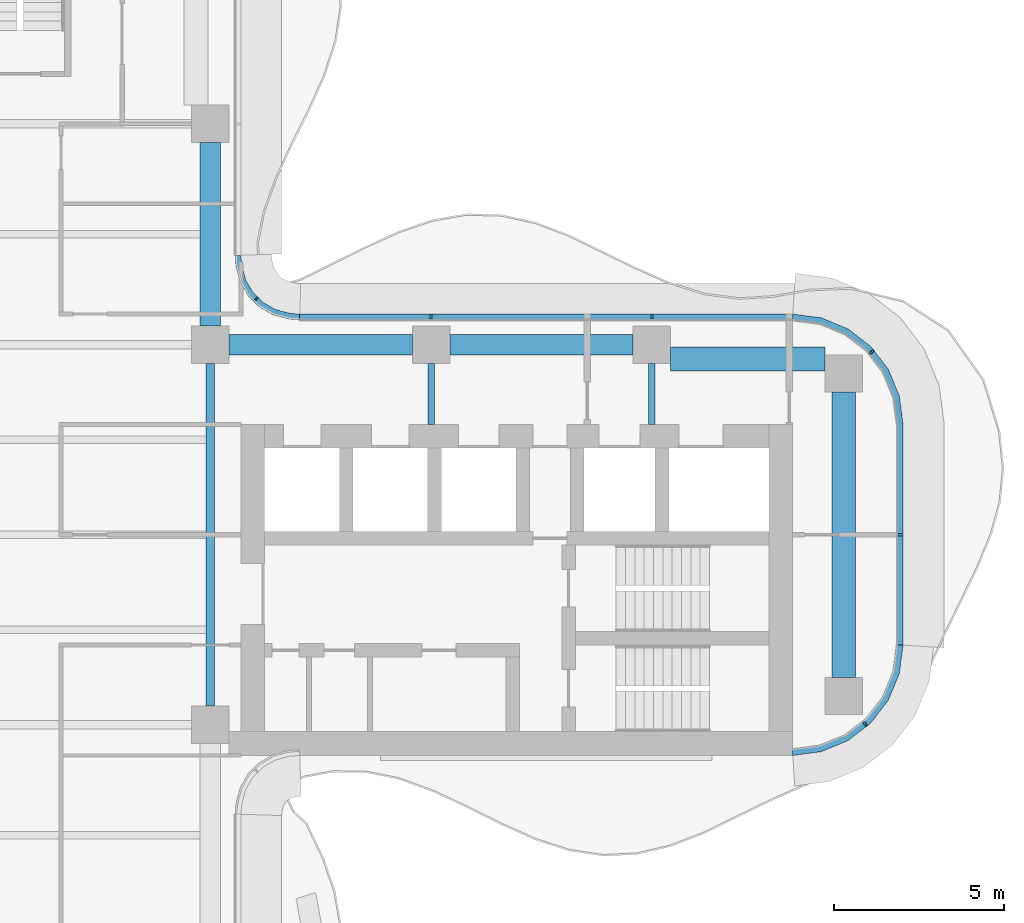
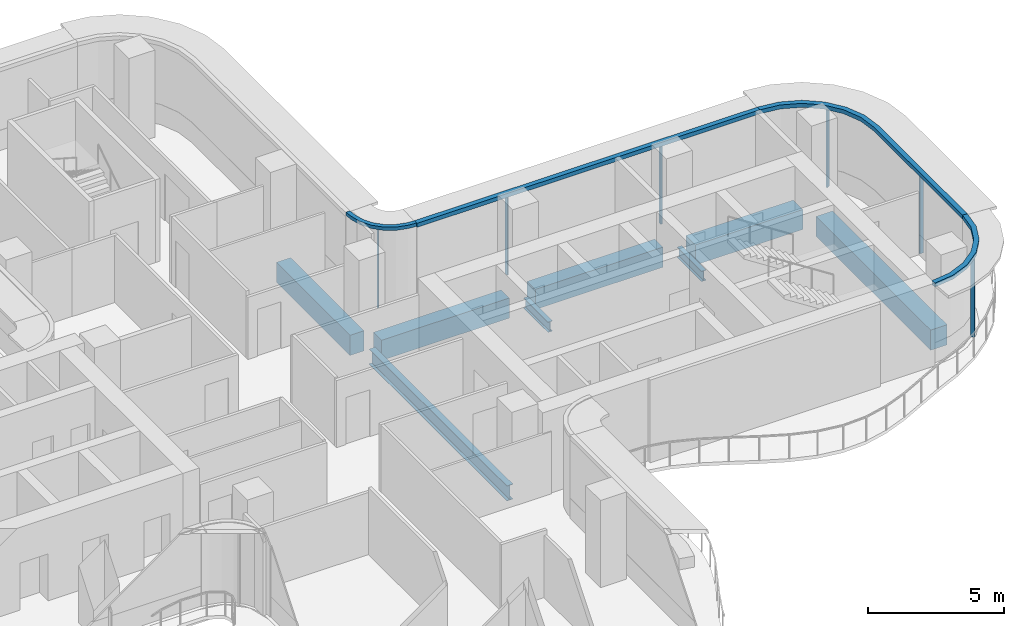
# One storey, part 6 of 16: 10 members, 8 beams, 4 elements without a shape of their own.
"""IFC4 building model written with IfcOpenShell, lengths in metres."""

import ifcopenshell
import ifcopenshell.guid

model = None  # the IFC model being written
_history = None  # IfcOwnerHistory: only IFC2X3 demands one
_inside = {}  # id of a spatial element -> (the spatial element, [elements in it])
_under = {}  # id of a project, library or spatial element -> (it, [spatial elements below it])
_declared = {}  # id of a project -> (the project, [libraries it declares])
_typed = {}  # id of a type object -> (the type object, [elements of that type])
_made_of = {}  # id of a material, layer set ... -> (it, [elements and type objects made of it])


def new_model(schema):
    """Start an empty IFC model of exactly this schema.

    Asked for "IFC4X3", IfcOpenShell would pick the latest addendum, in which some entities
    have other attributes; the version numbers below select the first issue.
    IFC2X3 requires an IfcOwnerHistory on every rooted entity: one is made here for all.
    """
    global model, _history
    if schema == "IFC4X3":
        model = ifcopenshell.file(schema_version=(4, 3, 0, 0))
    else:
        model = ifcopenshell.file(schema=schema)
    _inside.clear()
    _under.clear()
    _declared.clear()
    _typed.clear()
    _made_of.clear()
    _history = None
    if model.schema == "IFC2X3":
        org = make("IfcOrganization", Name="unknown")
        user = make(
            "IfcPersonAndOrganization",
            ThePerson=make("IfcPerson", FamilyName="unknown"),
            TheOrganization=org,
        )
        app = make(
            "IfcApplication",
            ApplicationDeveloper=org,
            Version="unknown",
            ApplicationFullName="unknown",
            ApplicationIdentifier="unknown",
        )
        _history = make(
            "IfcOwnerHistory",
            OwningUser=user,
            OwningApplication=app,
            ChangeAction="ADDED",
            CreationDate=0,
        )
    return model


def make(cls, **values):
    """One entity of the class cls with the attributes given. An attribute that is None is left unset."""
    return model.create_entity(
        cls, **{name: value for name, value in values.items() if value is not None}
    )


def rooted(cls, **values):
    """An entity with a GlobalId (a new one), such as an element, a storey or a relation."""
    return make(cls, GlobalId=ifcopenshell.guid.new(), OwnerHistory=_history, **values)


def si_unit(unit_type, name, prefix=None):
    """IfcSIUnit, for example si_unit("LENGTHUNIT", "METRE", prefix="MILLI")."""
    return make("IfcSIUnit", UnitType=unit_type, Prefix=prefix, Name=name)


def assignment(units):
    """IfcUnitAssignment: the units of a project."""
    return None if units is None else make("IfcUnitAssignment", Units=units)


def point(xyz):
    """IfcCartesianPoint."""
    return None if xyz is None else make("IfcCartesianPoint", Coordinates=xyz)


def direction(xyz):
    """IfcDirection."""
    return None if xyz is None else make("IfcDirection", DirectionRatios=xyz)


def frame(location, z_axis=None, x_axis=None):
    """IfcAxis2Placement3D, a coordinate frame: its origin and axes. An axis left out is left unset."""
    return make(
        "IfcAxis2Placement3D",
        Location=point(location),
        Axis=direction(z_axis),
        RefDirection=direction(x_axis),
    )


def frame_2d(location, x_axis=None):
    """IfcAxis2Placement2D, a coordinate frame in the plane: its origin and x axis."""
    return make(
        "IfcAxis2Placement2D", Location=point(location), RefDirection=direction(x_axis)
    )


def origin():
    """The frame at (0, 0, 0) with its axes left unset."""
    return frame((0.0, 0.0, 0.0))


def origin_2d():
    """The frame at (0, 0) in the plane with its x axis left unset."""
    return frame_2d((0.0, 0.0))


def place(relative_to, where):
    """IfcLocalPlacement: puts the frame where relative to a parent placement (None: the world)."""
    return make(
        "IfcLocalPlacement", PlacementRelTo=relative_to, RelativePlacement=where
    )


def context(
    kind, dimensions, precision=None, world=None, true_north=None, identifier=None
):
    """IfcGeometricRepresentationContext, for example the 3D "Model" context."""
    return make(
        "IfcGeometricRepresentationContext",
        ContextIdentifier=identifier,
        ContextType=kind,
        CoordinateSpaceDimension=dimensions,
        Precision=precision,
        WorldCoordinateSystem=world,
        TrueNorth=true_north,
    )


def subcontext(parent, identifier, kind, view, scale=None):
    """IfcGeometricRepresentationSubContext, for example "Body" below "Model"."""
    return make(
        "IfcGeometricRepresentationSubContext",
        ContextIdentifier=identifier,
        ContextType=kind,
        ParentContext=parent,
        TargetScale=scale,
        TargetView=view,
    )


def project(units=None, contexts=None):
    """IfcProject with its units and contexts."""
    return rooted(
        "IfcProject",
        Name="project",
        RepresentationContexts=contexts,
        UnitsInContext=assignment(units),
    )


def spatial(cls, under=None, at=None, **own):
    """A site, building, storey or space (cls), placed at a placement, below another one or the project."""
    s = rooted(cls, ObjectPlacement=at, **own)
    if under is not None:
        _under.setdefault(under.id(), (under, []))[1].append(s)
    return s


def polyline(points):
    """IfcPolyline through the points."""
    return make("IfcPolyline", Points=[point(p) for p in points])


def profile(cls, at=None, kind="AREA", **sizes):
    """A parametric profile (cls). Its sizes go by their IFC names, for example OverallWidth=200.0."""
    return make(cls, ProfileType=kind, Position=at, **sizes)


def rectangle(**sizes):
    """IfcRectangleProfileDef."""
    return profile("IfcRectangleProfileDef", **sizes)


def i_section(**sizes):
    """IfcIShapeProfileDef."""
    return profile("IfcIShapeProfileDef", **sizes)


def outline(outer, holes=None, kind="AREA"):
    """IfcArbitraryClosedProfileDef: a profile drawn as a closed curve; with holes, ...WithVoids."""
    if holes is None:
        return make("IfcArbitraryClosedProfileDef", ProfileType=kind, OuterCurve=outer)
    return make(
        "IfcArbitraryProfileDefWithVoids",
        ProfileType=kind,
        OuterCurve=outer,
        InnerCurves=holes,
    )


def extrude(swept, where, along, depth):
    """IfcExtrudedAreaSolid: the profile swept, set in the frame where, extruded along a direction by depth."""
    return make(
        "IfcExtrudedAreaSolid",
        SweptArea=swept,
        Position=where,
        ExtrudedDirection=direction(along),
        Depth=depth,
    )


def shape(context_of_items, identifier, shape_type, items):
    """IfcShapeRepresentation: the items that make up one representation, for example the "Body"."""
    return make(
        "IfcShapeRepresentation",
        ContextOfItems=context_of_items,
        RepresentationIdentifier=identifier,
        RepresentationType=shape_type,
        Items=items,
    )


def source(mapping_origin, context_of_items, identifier, shape_type, items):
    """IfcRepresentationMap: a shape defined once, which mapped items show again and again."""
    return make(
        "IfcRepresentationMap",
        MappingOrigin=mapping_origin,
        MappedRepresentation=shape(context_of_items, identifier, shape_type, items),
    )


def transform(
    local_origin,
    x_axis=None,
    y_axis=None,
    z_axis=None,
    scale=None,
    scale2=None,
    scale3=None,
    uniform=True,
):
    """IfcCartesianTransformationOperator3D, or its non-uniform kind. x_axis, y_axis, z_axis: its Axis1, 2, 3."""
    if uniform:
        return make(
            "IfcCartesianTransformationOperator3D",
            Axis1=direction(x_axis),
            Axis2=direction(y_axis),
            LocalOrigin=point(local_origin),
            Scale=scale,
            Axis3=direction(z_axis),
        )
    return make(
        "IfcCartesianTransformationOperator3DnonUniform",
        Axis1=direction(x_axis),
        Axis2=direction(y_axis),
        LocalOrigin=point(local_origin),
        Scale=scale,
        Axis3=direction(z_axis),
        Scale2=scale2,
        Scale3=scale3,
    )


def mapped(mapping_source, mapping_target):
    """IfcMappedItem: shows the shape of a source again, moved by a transform."""
    return make(
        "IfcMappedItem", MappingSource=mapping_source, MappingTarget=mapping_target
    )


def material(Name=None, Category=None):
    """IfcMaterial."""
    return make("IfcMaterial", Name=Name, Category=Category)


def layer(
    of_material, thickness, ventilated=None, Name=None, Category=None, Priority=None
):
    """IfcMaterialLayer: one layer of a wall or slab, of a material (None: an air gap)."""
    return make(
        "IfcMaterialLayer",
        Material=of_material,
        LayerThickness=thickness,
        IsVentilated=ventilated,
        Name=Name,
        Category=Category,
        Priority=Priority,
    )


def layer_set(layers, Name=None):
    """IfcMaterialLayerSet."""
    return make("IfcMaterialLayerSet", MaterialLayers=layers, LayerSetName=Name)


def material_profile(
    of_material, cross_section, Name=None, Category=None, Priority=None
):
    """IfcMaterialProfile: a cross section and its material."""
    return make(
        "IfcMaterialProfile",
        Name=Name,
        Material=of_material,
        Profile=cross_section,
        Priority=Priority,
        Category=Category,
    )


def profile_set(profiles, Name=None, composite=None):
    """IfcMaterialProfileSet."""
    return make(
        "IfcMaterialProfileSet",
        Name=Name,
        MaterialProfiles=profiles,
        CompositeProfile=composite,
    )


def made_of(thing, what):
    """Note that an element or type object is made of a material, layer set ...; save() writes the relation."""
    if what is not None:
        _made_of.setdefault(what.id(), (what, []))[1].append(thing)
    return thing


def type_object(cls, material=None, **own):
    """A type object (cls), such as IfcWallType, which elements share."""
    return made_of(rooted(cls, **own), material)


def element(
    cls,
    number,
    at=None,
    inside=None,
    cuts=None,
    type_object=None,
    material=None,
    context=None,
    identifier="Body",
    shape_type=None,
    held_by="IfcProductDefinitionShape",
    body=None,
    shapes=None,
    **own,
):
    """One element of the class cls, such as IfcWall. Its Tag is "e" and its number.

    at: its placement. inside: the storey or other place that contains it. cuts: it is an
    opening in that element (IfcRelVoidsElement). A single representation is given by context,
    identifier, shape_type and body (its items); several are given by shapes. held_by: the class
    of the entity that holds the representations. save() writes the other relations.
    """
    e = rooted(cls, Tag="e%d" % number, ObjectPlacement=at, **own)
    if body is not None:
        shapes = [shape(context, identifier, shape_type, body)]
    if shapes is not None:
        e.Representation = make(held_by, Representations=shapes)
    if inside is not None:
        _inside.setdefault(inside.id(), (inside, []))[1].append(e)
    if cuts is not None:
        rooted(
            "IfcRelVoidsElement", RelatingBuildingElement=cuts, RelatedOpeningElement=e
        )
    if type_object is not None:
        _typed.setdefault(type_object.id(), (type_object, []))[1].append(e)
    return made_of(e, material)


def aggregate(whole, parts):
    """IfcRelAggregates: a whole, such as a stair, and the parts it consists of."""
    return rooted("IfcRelAggregates", RelatingObject=whole, RelatedObjects=parts)


def save(model, path):
    """Write the relations noted so far, then the file.

    IfcRelAggregates (storeys below a building ...), IfcRelContainedInSpatialStructure (elements
    in a storey), IfcRelDefinesByType, IfcRelAssociatesMaterial and IfcRelDeclares: one each for
    every whole, place, type object, material and project.
    """
    for whole, parts in _under.values():
        aggregate(whole, parts)
    for where, things in _inside.values():
        rooted(
            "IfcRelContainedInSpatialStructure",
            RelatedElements=things,
            RelatingStructure=where,
        )
    for kind, things in _typed.values():
        rooted("IfcRelDefinesByType", RelatedObjects=things, RelatingType=kind)
    for what, things in _made_of.values():
        rooted("IfcRelAssociatesMaterial", RelatedObjects=things, RelatingMaterial=what)
    for by, libraries in _declared.values():
        rooted("IfcRelDeclares", RelatingContext=by, RelatedDefinitions=libraries)
    model.write(path)


model = new_model("IFC4")

# Units and contexts
model_context = context("Model", 3, precision=1e-05, world=origin(), true_north=direction((0.0, 1.0)))
body_context = subcontext(model_context, "Body", "Model", "MODEL_VIEW")
ifc_project = project(units=[si_unit("LENGTHUNIT", "METRE"), si_unit("AREAUNIT", "SQUARE_METRE"), si_unit("VOLUMEUNIT", "CUBIC_METRE"), si_unit("PLANEANGLEUNIT", "RADIAN"), si_unit("MASSUNIT", "GRAM", prefix="KILO")], contexts=[model_context])

# Site, building, storey
site_placement = place(None, origin())
site = spatial("IfcSite", under=ifc_project, at=site_placement, CompositionType="ELEMENT")
building_placement = place(site_placement, origin())
building = spatial("IfcBuilding", under=site, at=building_placement, Name="Trellis Farm Tower", CompositionType="ELEMENT")
storey_placement = place(building_placement, frame((0.0, 0.0, 248.0)))
storey = spatial("IfcBuildingStorey", under=building, at=storey_placement, Name="L55", CompositionType="ELEMENT", Elevation=248.0)

# Beams
ifc_material_1 = material(Name="Steel S355", Category="steel")
ifc_material_profile_1 = material_profile(ifc_material_1, i_section(OverallWidth=0.253662109375, OverallDepth=0.68359375, WebThickness=0.012451171875, FlangeThickness=0.021728515625, FilletRadius=0.01513671875, at=origin_2d()), Name="UB 686x254x140")
ifc_profile_set_1 = profile_set([ifc_material_profile_1], Name="Steel S355")
beam_type_1 = type_object("IfcBeamType", Name="UB 686x254x140", PredefinedType="BEAM", material=ifc_profile_set_1)
shared_shape_1 = source(origin(), body_context, "Body", "SweptSolid", [
    extrude(i_section(OverallWidth=0.253662109375, OverallDepth=0.68359375, WebThickness=0.012451171875, FlangeThickness=0.021728515625, FilletRadius=0.01513671875, at=origin_2d()), origin(), (0.0, 0.0, 1.0), 10.10009765625),
])
beam_1_placement = place(storey_placement, frame((5.60009765625, -5.050048828125, -0.541748046875), z_axis=(0.0, 1.0, 0.0), x_axis=(-1.0, 0.0, 0.0)))
element("IfcBeam", 1, at=beam_1_placement, inside=storey, type_object=beam_type_1, Name="Girder", PredefinedType="BEAM", context=body_context, shape_type="MappedRepresentation", body=[
    mapped(shared_shape_1, transform((0.0, 0.0, 0.0))),
])
ifc_material_profile_2 = material_profile(ifc_material_1, i_section(OverallWidth=0.1904296875, OverallDepth=0.45703125, WebThickness=0.009033203125, FlangeThickness=0.014404296875, FilletRadius=0.01025390625, at=origin_2d()), Name="UB 457x191x74")
ifc_profile_set_2 = profile_set([ifc_material_profile_2], Name="Steel S355")
beam_type_2 = type_object("IfcBeamType", Name="UB 457x191x74", PredefinedType="BEAM", material=ifc_profile_set_2)
shared_shape_2 = source(origin(), body_context, "Body", "SweptSolid", [
    extrude(i_section(OverallWidth=0.1904296875, OverallDepth=0.45703125, WebThickness=0.009033203125, FlangeThickness=0.014404296875, FilletRadius=0.01025390625, at=origin_2d()), origin(), (0.0, 0.0, 1.0), 1.800048828125),
])
for number, where, z_axis, x_axis, name in (
    (2, (12.10009765625, 3.25, -0.428466796875), (0.0, 1.0, 0.0), (-1.0, 0.0, 0.0), "Girder"),
    (3, (18.60009765625, 3.25, -0.428466796875), (0.0, 1.0, 0.0), (-1.0, 0.0, 0.0), "Girder"),
):
    element("IfcBeam", number, at=place(storey_placement, frame(where, z_axis=z_axis, x_axis=x_axis)), inside=storey, type_object=beam_type_2, Name=name, PredefinedType="BEAM", context=body_context, shape_type="MappedRepresentation", body=[
        mapped(shared_shape_2, transform((0.0, 0.0, 0.0))),
    ])
ifc_material_2 = material(Name="Concrete C60/75", Category="concrete")
ifc_material_profile_3 = material_profile(ifc_material_2, rectangle(XDim=0.60009765625, YDim=0.89990234375, at=origin_2d()), Name="RC spandrel beam 600x900 C60/75")
ifc_profile_set_3 = profile_set([ifc_material_profile_3], Name="Concrete C60/75")
beam_type_3 = type_object("IfcBeamType", Name="RC spandrel beam 600x900 C60/75", PredefinedType="SPANDREL", material=ifc_profile_set_3)
shared_shape_3 = source(origin(), body_context, "Body", "SweptSolid", [
    extrude(rectangle(XDim=0.60009765625, YDim=0.89990234375, at=origin_2d()), origin(), (0.0, 0.0, 1.0), 5.400146484375),
])
for number, where, z_axis, x_axis, name in (
    (4, (6.14990234375, 5.60009765625, -0.64990234375), (1.0, 0.0, 0.0), (0.0, 1.0, 0.0), "Girder"),
    (5, (12.64990234375, 5.60009765625, -0.64990234375), (1.0, 0.0, 0.0), (0.0, 1.0, 0.0), "Girder"),
    (6, (5.60009765625, 6.14990234375, -0.64990234375), (0.0, 1.0, 0.0), (-1.0, 0.0, 0.0), "Girder"),
):
    element("IfcBeam", number, at=place(storey_placement, frame(where, z_axis=z_axis, x_axis=x_axis)), inside=storey, type_object=beam_type_3, Name=name, PredefinedType="SPANDREL", context=body_context, shape_type="MappedRepresentation", body=[
        mapped(shared_shape_3, transform((0.0, 0.0, 0.0))),
    ])
ifc_material_profile_4 = material_profile(ifc_material_2, rectangle(XDim=0.699951171875, YDim=0.89990234375, at=origin_2d()), Name="RC spandrel beam 700x900 C60/75")
ifc_profile_set_4 = profile_set([ifc_material_profile_4], Name="Concrete C60/75")
beam_type_4 = type_object("IfcBeamType", Name="RC spandrel beam 700x900 C60/75", PredefinedType="SPANDREL", material=ifc_profile_set_4)
shared_shape_4 = source(origin(), body_context, "Body", "SweptSolid", [
    extrude(rectangle(XDim=0.699951171875, YDim=0.89990234375, at=origin_2d()), origin(), (0.0, 0.0, 1.0), 8.39990234375),
])
beam_2_placement = place(storey_placement, frame((24.25, -4.199951171875, -0.64990234375), z_axis=(0.0, 1.0, 0.0), x_axis=(-1.0, 0.0, 0.0)))
element("IfcBeam", 7, at=beam_2_placement, inside=storey, type_object=beam_type_4, Name="Girder", PredefinedType="SPANDREL", context=body_context, shape_type="MappedRepresentation", body=[
    mapped(shared_shape_4, transform((0.0, 0.0, 0.0))),
])
shared_shape_5 = source(origin(), body_context, "Body", "SweptSolid", [
    extrude(rectangle(XDim=0.699951171875, YDim=0.89990234375, at=origin_2d()), origin(), (0.0, 0.0, 1.0), 4.550048828125),
])
beam_3_placement = place(storey_placement, frame((19.14990234375, 5.175048828125, -0.64990234375), z_axis=(1.0, 0.0, 0.0), x_axis=(0.0, 1.0, 0.0)))
element("IfcBeam", 8, at=beam_3_placement, inside=storey, type_object=beam_type_4, Name="Girder", PredefinedType="SPANDREL", context=body_context, shape_type="MappedRepresentation", body=[
    mapped(shared_shape_5, transform((0.0, 0.0, 0.0))),
])

# Curtain wall, member
ifc_material_3 = material(Name="Aluminium and glass curtain wall", Category="aluminium")
ifc_layer_1 = layer(ifc_material_3, 0.166015625)
ifc_layer_set_1 = layer_set([ifc_layer_1], Name="WINTER GARDEN CURTAIN WALL CW3")
curtain_wall_type_1 = type_object("IfcCurtainWallType", Name="WINTER GARDEN CURTAIN WALL CW3", PredefinedType="NOTDEFINED", material=ifc_layer_set_1)
placement_1 = place(storey_placement, origin())
curtain_wall_1 = element("IfcCurtainWall", 9, at=placement_1, inside=storey, type_object=curtain_wall_type_1, Name="CW3 003", PredefinedType="NOTDEFINED")
ifc_material_4 = material(Name="Aluminium extrusion 6063-T6", Category="aluminium")
ifc_layer_2 = layer(ifc_material_4, 0.169921875)
ifc_layer_set_2 = layer_set([ifc_layer_2], Name="Aluminium extrusion 6063-T6")
member_type_1 = type_object("IfcMemberType", Name="CW3 TRANSOM 170x150", PredefinedType="USERDEFINED", material=ifc_layer_set_2)
shared_shape_6 = source(origin(), body_context, "Body", "SweptSolid", [
    extrude(outline(polyline([(8.2314453125, 6.5), (8.01953125, 6.513916015625), (7.91552734375, 6.527587890625), (7.508544921875, 6.63671875), (7.144287109375, 6.846923828125), (6.846923828125, 7.144287109375), (6.63671875, 7.508544921875), (6.527587890625, 7.91552734375), (6.513916015625, 8.01953125), (6.5, 8.2314453125), (6.330078125, 8.225830078125), (6.3447265625, 8.0029296875), (6.360595703125, 7.88232421875), (6.478271484375, 7.44287109375), (6.7109375, 7.0400390625), (7.0400390625, 6.7109375), (7.44287109375, 6.478271484375), (7.88232421875, 6.360595703125), (8.0029296875, 6.3447265625), (8.225830078125, 6.330078125), (8.2314453125, 6.5)])), origin(), (0.0, 0.0, 1.0), 0.14990234375),
])
member_1_placement = place(storey_placement, frame((0.0, 0.0, 3.550048828125)))
member_1 = element("IfcMember", 10, at=member_1_placement, type_object=member_type_1, Name="TR3 003", ObjectType="TRANSOM", PredefinedType="USERDEFINED", context=body_context, shape_type="MappedRepresentation", body=[
    mapped(shared_shape_6, transform((0.0, 0.0, 0.0))),
])

ifc_layer_3 = layer(ifc_material_3, 0.18994140625)
ifc_layer_set_3 = layer_set([ifc_layer_3], Name="RIBBON CURTAIN WALL CW1")
curtain_wall_type_2 = type_object("IfcCurtainWallType", Name="RIBBON CURTAIN WALL CW1", PredefinedType="NOTDEFINED", material=ifc_layer_set_3)
curtain_wall_2 = element("IfcCurtainWall", 11, at=placement_1, inside=storey, type_object=curtain_wall_type_2, Name="CW1 006", PredefinedType="NOTDEFINED")
ifc_material_profile_5 = material_profile(ifc_material_4, rectangle(XDim=0.06005859375, YDim=0.14990234375, at=origin_2d()), Name="MULLION 60x150")
ifc_profile_set_5 = profile_set([ifc_material_profile_5], Name="Aluminium extrusion 6063-T6")
member_type_2 = type_object("IfcMemberType", Name="CW1 MULLION 60x150", PredefinedType="MULLION", material=ifc_profile_set_5)
shared_shape_7 = source(origin(), body_context, "Body", "SweptSolid", [
    extrude(rectangle(XDim=0.06005859375, YDim=0.14990234375, at=origin_2d()), origin(), (0.0, 0.0, 1.0), 3.52001953125),
])
member_2_placement = place(storey_placement, frame((24.885498046875, -5.578369140625, 0.0), z_axis=(0.0, 0.0, 1.0), x_axis=(0.793353340291, 0.608761429009, 0.0)))
member_2 = element("IfcMember", 12, at=member_2_placement, type_object=member_type_2, Name="MU1 006-01", PredefinedType="MULLION", context=body_context, shape_type="MappedRepresentation", body=[
    mapped(shared_shape_7, transform((0.0, 0.0, 0.0))),
])

# Curtain wall, members
curtain_wall_3 = element("IfcCurtainWall", 13, at=placement_1, inside=storey, type_object=curtain_wall_type_2, Name="CW1 007", PredefinedType="NOTDEFINED")
member_3_placement = place(storey_placement, frame((25.925048828125, 0.0, 0.0), z_axis=(0.0, 0.0, 1.0), x_axis=(0.0, 1.0, 0.0)))
member_3 = element("IfcMember", 14, at=member_3_placement, type_object=member_type_2, Name="MU1 007-01", PredefinedType="MULLION", context=body_context, shape_type="MappedRepresentation", body=[
    mapped(shared_shape_7, transform((0.0, 0.0, 0.0))),
])
member_4_placement = place(storey_placement, frame((25.078369140625, 5.385498046875, 0.0), z_axis=(0.0, 0.0, 1.0), x_axis=(-0.608761429009, 0.793353340291, 0.0)))
member_4 = element("IfcMember", 15, at=member_4_placement, type_object=member_type_2, Name="MU1 007-02", PredefinedType="MULLION", context=body_context, shape_type="MappedRepresentation", body=[
    mapped(shared_shape_7, transform((0.0, 0.0, 0.0))),
])

curtain_wall_4 = element("IfcCurtainWall", 16, at=placement_1, inside=storey, type_object=curtain_wall_type_2, Name="CW1 008", PredefinedType="NOTDEFINED")
member_5_placement = place(storey_placement, frame((18.60009765625, 6.425048828125, 0.0), z_axis=(0.0, 0.0, 1.0), x_axis=(-1.0, 0.0, 0.0)))
member_5 = element("IfcMember", 17, at=member_5_placement, type_object=member_type_2, Name="MU1 008-01", PredefinedType="MULLION", context=body_context, shape_type="MappedRepresentation", body=[
    mapped(shared_shape_7, transform((0.0, 0.0, 0.0))),
])
member_6_placement = place(storey_placement, frame((12.10009765625, 6.425048828125, 0.0), z_axis=(0.0, 0.0, 1.0), x_axis=(-1.0, 0.0, 0.0)))
member_6 = element("IfcMember", 18, at=member_6_placement, type_object=member_type_2, Name="MU1 008-02", PredefinedType="MULLION", context=body_context, shape_type="MappedRepresentation", body=[
    mapped(shared_shape_7, transform((0.0, 0.0, 0.0))),
])

# Member
ifc_material_profile_6 = material_profile(ifc_material_4, rectangle(XDim=0.050048828125, YDim=0.1201171875, at=origin_2d()), Name="MULLION 50x120")
ifc_profile_set_6 = profile_set([ifc_material_profile_6], Name="Aluminium extrusion 6063-T6")
member_type_3 = type_object("IfcMemberType", Name="CW3 MULLION 50x120", PredefinedType="MULLION", material=ifc_profile_set_6)
shared_shape_8 = source(origin(), body_context, "Body", "SweptSolid", [
    extrude(rectangle(XDim=0.050048828125, YDim=0.1201171875, at=origin_2d()), origin(), (0.0, 0.0, 1.0), 3.550048828125),
])
member_7_placement = place(storey_placement, frame((6.953125, 6.953125, 0.0), z_axis=(0.0, 0.0, 1.0), x_axis=(-0.707106781187, 0.707106781187, 0.0)))
member_7 = element("IfcMember", 19, at=member_7_placement, type_object=member_type_3, Name="MU3 003-01", PredefinedType="MULLION", context=body_context, shape_type="MappedRepresentation", body=[
    mapped(shared_shape_8, transform((0.0, 0.0, 0.0))),
])

aggregate(curtain_wall_1, [member_7, member_1])

ifc_layer_4 = layer(ifc_material_4, 0.199951171875)
ifc_layer_set_4 = layer_set([ifc_layer_4], Name="Aluminium extrusion 6063-T6")
member_type_4 = type_object("IfcMemberType", Name="CW1 TRANSOM 200x180", PredefinedType="USERDEFINED", material=ifc_layer_set_4)
shared_shape_9 = source(origin(), body_context, "Body", "SweptSolid", [
    extrude(outline(polyline([(22.75, -6.5), (23.591064453125, -6.38916015625), (24.375, -6.064697265625), (25.048095703125, -5.548095703125), (25.564697265625, -4.875), (25.88916015625, -4.091064453125), (26.0, -3.25), (25.800048828125, -3.23681640625), (25.6943359375, -4.0390625), (25.389892578125, -4.774169921875), (24.905517578125, -5.405517578125), (24.274169921875, -5.889892578125), (23.5390625, -6.1943359375), (22.73681640625, -6.300048828125), (22.75, -6.5)])), origin(), (0.0, 0.0, 1.0), 0.179931640625),
])
placement_2 = place(storey_placement, frame((0.0, 0.0, 3.52001953125)))
member_8 = element("IfcMember", 20, at=placement_2, type_object=member_type_4, Name="TR1 006", ObjectType="TRANSOM", PredefinedType="USERDEFINED", context=body_context, shape_type="MappedRepresentation", body=[
    mapped(shared_shape_9, transform((0.0, 0.0, 0.0))),
])

aggregate(curtain_wall_2, [member_2, member_8])

shared_shape_10 = source(origin(), body_context, "Body", "SweptSolid", [
    extrude(outline(polyline([(22.75, 6.5), (8.2314453125, 6.5), (8.224853515625, 6.300048828125), (22.73681640625, 6.300048828125), (22.75, 6.5)])), origin(), (0.0, 0.0, 1.0), 0.179931640625),
])
member_9 = element("IfcMember", 21, at=placement_2, type_object=member_type_4, Name="TR1 008", ObjectType="TRANSOM", PredefinedType="USERDEFINED", context=body_context, shape_type="MappedRepresentation", body=[
    mapped(shared_shape_10, transform((0.0, 0.0, 0.0))),
])

aggregate(curtain_wall_4, [member_5, member_6, member_9])

shared_shape_11 = source(origin(), body_context, "Body", "SweptSolid", [
    extrude(outline(polyline([(26.0, -3.25), (26.0, 3.25), (25.88916015625, 4.091064453125), (25.564697265625, 4.875), (25.048095703125, 5.548095703125), (24.375, 6.064697265625), (23.591064453125, 6.38916015625), (22.75, 6.5), (22.73681640625, 6.300048828125), (23.5390625, 6.1943359375), (24.274169921875, 5.889892578125), (24.905517578125, 5.405517578125), (25.389892578125, 4.774169921875), (25.6943359375, 4.0390625), (25.800048828125, 3.23681640625), (25.800048828125, -3.23681640625), (26.0, -3.25)])), origin(), (0.0, 0.0, 1.0), 0.179931640625),
])
member_10 = element("IfcMember", 22, at=placement_2, type_object=member_type_4, Name="TR1 007", ObjectType="TRANSOM", PredefinedType="USERDEFINED", context=body_context, shape_type="MappedRepresentation", body=[
    mapped(shared_shape_11, transform((0.0, 0.0, 0.0))),
])

aggregate(curtain_wall_3, [member_3, member_4, member_10])

save(model, "model.ifc")
